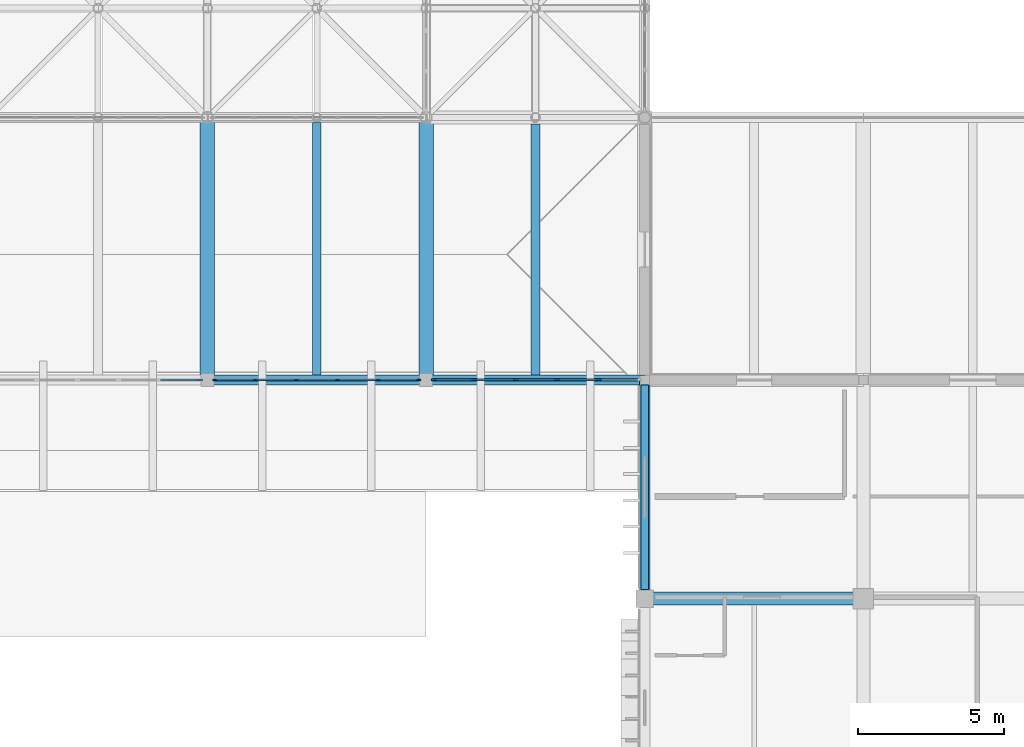
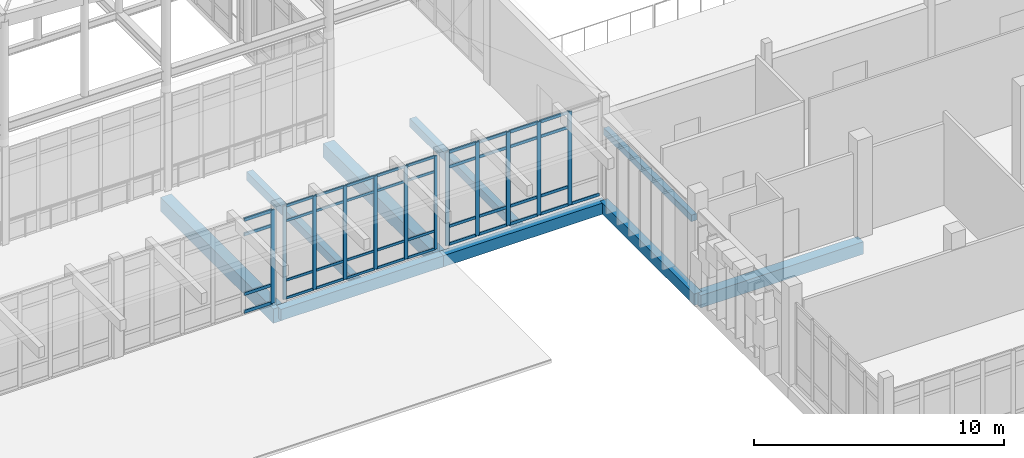
# One storey, part 29 of 131: 53 members, 9 beams, 3 elements without a shape of their own.
"""IFC4 building model written with IfcOpenShell, lengths in metres."""

from ifc_helpers import new_model, si_unit, direction, frame, origin, origin_2d, place, context, subcontext, project, spatial, rectangle, extrude, material, layer, layer_set, material_profile, profile_set, type_object, element, aggregate, save


model = new_model("IFC4")

# Units and contexts
model_context = context("Model", 3, precision=1e-05, world=origin(), true_north=direction((0.0, 1.0)))
body_context = subcontext(model_context, "Body", "Model", "MODEL_VIEW")
ifc_project = project(units=[si_unit("LENGTHUNIT", "METRE"), si_unit("AREAUNIT", "SQUARE_METRE"), si_unit("VOLUMEUNIT", "CUBIC_METRE"), si_unit("PLANEANGLEUNIT", "RADIAN"), si_unit("MASSUNIT", "GRAM", prefix="KILO")], contexts=[model_context])

# Site, building, storey
site_placement = place(None, origin())
site = spatial("IfcSite", under=ifc_project, at=site_placement, CompositionType="ELEMENT")
building_placement = place(site_placement, origin())
building = spatial("IfcBuilding", under=site, at=building_placement, Name="Dalvernix Boulevard General Hospital", CompositionType="ELEMENT")
storey_placement = place(building_placement, frame((0.0, 0.0, 9.300048828125)))
storey = spatial("IfcBuildingStorey", under=building, at=storey_placement, Name="L02", CompositionType="ELEMENT", Elevation=9.300048828125)

# Beams
ifc_material_1 = material(Name="Concrete C35/45", Category="concrete")
ifc_material_profile_1 = material_profile(ifc_material_1, rectangle(XDim=0.5, YDim=0.699951171875, at=origin_2d()), Name="RCB 500x700")
ifc_profile_set_1 = profile_set([ifc_material_profile_1], Name="Concrete C35/45")
beam_type_1 = type_object("IfcBeamType", Name="BM-B-01-I", PredefinedType="BEAM", material=ifc_profile_set_1)
for number, where, z_axis, x_axis, name in (
    (1, (97.5, 22.5, -0.670166015625), (0.0, 1.0, 0.0), (-1.0, 0.0, 0.0), "L02 N-S girder 14:D-E"),
    (2, (105.0, 22.5, -0.670166015625), (0.0, 1.0, 0.0), (-1.0, 0.0, 0.0), "L02 N-S girder 15:D-E"),
):
    element("IfcBeam", number, at=place(storey_placement, frame(where, z_axis=z_axis, x_axis=x_axis)), inside=storey, type_object=beam_type_1, Name=name, PredefinedType="BEAM", context=body_context, shape_type="SweptSolid", body=[
        extrude(rectangle(XDim=0.5, YDim=0.699951171875, at=origin_2d()), origin(), (0.0, 0.0, 1.0), 9.0),
    ])
ifc_material_profile_2 = material_profile(ifc_material_1, rectangle(XDim=0.449951171875, YDim=0.60009765625, at=origin_2d()), Name="RCB 450x600")
ifc_profile_set_2 = profile_set([ifc_material_profile_2], Name="Concrete C35/45")
beam_type_2 = type_object("IfcBeamType", Name="BM-B-04-I", PredefinedType="BEAM", material=ifc_profile_set_2)
beam_1_placement = place(storey_placement, frame((112.5, 15.0, -0.6201171875), z_axis=(1.0, 0.0, 0.0), x_axis=(0.0, 1.0, 0.0)))
element("IfcBeam", 3, at=beam_1_placement, inside=storey, type_object=beam_type_2, Name="L02 E-W girder C:16-17", PredefinedType="BEAM", context=body_context, shape_type="SweptSolid", body=[
    extrude(rectangle(XDim=0.449951171875, YDim=0.60009765625, at=origin_2d()), origin(), (0.0, 0.0, 1.0), 7.5),
])
ifc_material_profile_3 = material_profile(ifc_material_1, rectangle(XDim=0.300048828125, YDim=0.39990234375, at=origin_2d()), Name="RCB 300x400")
ifc_profile_set_3 = profile_set([ifc_material_profile_3], Name="Concrete C35/45")
beam_type_3 = type_object("IfcBeamType", Name="BM-JB-01", PredefinedType="JOIST", material=ifc_profile_set_3)
beam_2_placement = place(storey_placement, frame((101.25, 22.675048828125, -0.52001953125), z_axis=(0.0, 1.0, 0.0), x_axis=(-1.0, 0.0, 0.0)))
element("IfcBeam", 4, at=beam_2_placement, inside=storey, type_object=beam_type_3, Name="L02 secondary floor beam 14-D", PredefinedType="JOIST", context=body_context, shape_type="SweptSolid", body=[
    extrude(rectangle(XDim=0.300048828125, YDim=0.39990234375, at=origin_2d()), origin(), (0.0, 0.0, 1.0), 8.64990234375),
])
beam_3_placement = place(storey_placement, frame((108.75, 22.675048828125, -0.52001953125), z_axis=(0.0, 1.0, 0.0), x_axis=(-1.0, 0.0, 0.0)))
element("IfcBeam", 5, at=beam_3_placement, inside=storey, type_object=beam_type_3, Name="L02 secondary floor beam 15-D", PredefinedType="JOIST", context=body_context, shape_type="SweptSolid", body=[
    extrude(rectangle(XDim=0.300048828125, YDim=0.39990234375, at=origin_2d()), origin(), (0.0, 0.0, 1.0), 8.599853515625),
])
ifc_material_2 = material(Name="Precast concrete C40/50", Category="concrete")
ifc_material_profile_4 = material_profile(ifc_material_2, rectangle(XDim=0.25, YDim=0.320068359375, at=origin_2d()), Name="RCL 250x320")
ifc_profile_set_4 = profile_set([ifc_material_profile_4], Name="Precast concrete C40/50")
beam_type_4 = type_object("IfcBeamType", Name="BM-LB-01", PredefinedType="LINTEL", material=ifc_profile_set_4)
beam_4_placement = place(storey_placement, frame((112.5, 15.31005859375, 3.159912109375), z_axis=(0.0, 1.0, 0.0), x_axis=(-1.0, 0.0, 0.0)))
element("IfcBeam", 6, at=beam_4_placement, inside=storey, type_object=beam_type_4, Name="L02 precast window lintel W 15-2", PredefinedType="LINTEL", context=body_context, shape_type="SweptSolid", body=[
    extrude(rectangle(XDim=0.25, YDim=0.320068359375, at=origin_2d()), origin(), (0.0, 0.0, 1.0), 7.02001953125),
])
ifc_material_profile_5 = material_profile(ifc_material_1, rectangle(XDim=0.35009765625, YDim=0.550048828125, at=origin_2d()), Name="RCB 350x550")
ifc_profile_set_5 = profile_set([ifc_material_profile_5], Name="Concrete C35/45")
beam_type_5 = type_object("IfcBeamType", Name="BM-SB-01-E", PredefinedType="SPANDREL", material=ifc_profile_set_5)
for number, where, z_axis, x_axis, name in (
    (7, (97.5, 22.5, -0.594970703125), (1.0, 0.0, 0.0), (0.0, 1.0, 0.0), "L02 E-W girder D:14-15"),
    (8, (105.0, 22.5, -0.594970703125), (1.0, 0.0, 0.0), (0.0, 1.0, 0.0), "L02 E-W girder D:15-16"),
    (9, (112.5, 15.0, -0.594970703125), (0.0, 1.0, 0.0), (-1.0, 0.0, 0.0), "L02 N-S girder 16:C-D"),
):
    element("IfcBeam", number, at=place(storey_placement, frame(where, z_axis=z_axis, x_axis=x_axis)), inside=storey, type_object=beam_type_5, Name=name, PredefinedType="SPANDREL", context=body_context, shape_type="SweptSolid", body=[
        extrude(rectangle(XDim=0.35009765625, YDim=0.550048828125, at=origin_2d()), origin(), (0.0, 0.0, 1.0), 7.5),
    ])

# Curtain wall, members
ifc_material_3 = material(Name="Thermally broken aluminium and solar-control glass curtain wall", Category="aluminium")
ifc_layer_1 = layer(ifc_material_3, 0.159912109375)
ifc_layer_set_1 = layer_set([ifc_layer_1], Name="Thermally broken aluminium and solar-control glass curtain wall (CW-CW-A-70x46)")
curtain_wall_type_1 = type_object("IfcCurtainWallType", Name="CW-CW-A-70x46", PredefinedType="USERDEFINED", material=ifc_layer_set_1)
curtain_wall_1_placement = place(storey_placement, origin())
curtain_wall_1 = element("IfcCurtainWall", 10, at=curtain_wall_1_placement, inside=storey, type_object=curtain_wall_type_1, Name="L02 curtain wall CW-A-70x46 13-3", ObjectType="GLAZED FACADE", PredefinedType="USERDEFINED")
ifc_material_4 = material(Name="Aluminium EN AW-6060", Category="aluminium")
ifc_material_profile_6 = material_profile(ifc_material_4, rectangle(XDim=0.06005859375, YDim=0.159912109375, at=origin_2d()), Name="ALU MULL 60x160")
ifc_profile_set_6 = profile_set([ifc_material_profile_6], Name="Aluminium EN AW-6060")
member_type_1 = type_object("IfcMemberType", Name="MEM-CW-M1", PredefinedType="MULLION", material=ifc_profile_set_6)
member_1_placement = place(storey_placement, frame((104.735107421875, 22.5, 0.0), z_axis=(0.0, 0.0, 1.0), x_axis=(0.0, -1.0, 0.0)))
member_1 = element("IfcMember", 11, at=member_1_placement, type_object=member_type_1, Name="CW-A-70x46 mullion 1", PredefinedType="MULLION", context=body_context, shape_type="SweptSolid", body=[
    extrude(rectangle(XDim=0.06005859375, YDim=0.159912109375, at=origin_2d()), origin(), (0.0, 0.0, 1.0), 4.550048828125),
])
member_2_placement = place(storey_placement, frame((103.35888671875, 22.5, 0.0), z_axis=(0.0, 0.0, 1.0), x_axis=(0.0, -1.0, 0.0)))
member_2 = element("IfcMember", 12, at=member_2_placement, type_object=member_type_1, Name="CW-A-70x46 mullion 2", PredefinedType="MULLION", context=body_context, shape_type="SweptSolid", body=[
    extrude(rectangle(XDim=0.06005859375, YDim=0.159912109375, at=origin_2d()), origin(), (0.0, 0.0, 1.0), 4.550048828125),
])
member_3_placement = place(storey_placement, frame((101.952880859375, 22.5, 0.0), z_axis=(0.0, 0.0, 1.0), x_axis=(0.0, -1.0, 0.0)))
member_3 = element("IfcMember", 13, at=member_3_placement, type_object=member_type_1, Name="CW-A-70x46 mullion 3", PredefinedType="MULLION", context=body_context, shape_type="SweptSolid", body=[
    extrude(rectangle(XDim=0.06005859375, YDim=0.159912109375, at=origin_2d()), origin(), (0.0, 0.0, 1.0), 4.550048828125),
])
member_4_placement = place(storey_placement, frame((100.547119140625, 22.5, 0.0), z_axis=(0.0, 0.0, 1.0), x_axis=(0.0, -1.0, 0.0)))
member_4 = element("IfcMember", 14, at=member_4_placement, type_object=member_type_1, Name="CW-A-70x46 mullion 4", PredefinedType="MULLION", context=body_context, shape_type="SweptSolid", body=[
    extrude(rectangle(XDim=0.06005859375, YDim=0.159912109375, at=origin_2d()), origin(), (0.0, 0.0, 1.0), 4.550048828125),
])
member_5_placement = place(storey_placement, frame((99.14111328125, 22.5, 0.0), z_axis=(0.0, 0.0, 1.0), x_axis=(0.0, -1.0, 0.0)))
member_5 = element("IfcMember", 15, at=member_5_placement, type_object=member_type_1, Name="CW-A-70x46 mullion 5", PredefinedType="MULLION", context=body_context, shape_type="SweptSolid", body=[
    extrude(rectangle(XDim=0.06005859375, YDim=0.159912109375, at=origin_2d()), origin(), (0.0, 0.0, 1.0), 4.550048828125),
])
member_6_placement = place(storey_placement, frame((97.764892578125, 22.5, 0.0), z_axis=(0.0, 0.0, 1.0), x_axis=(0.0, -1.0, 0.0)))
member_6 = element("IfcMember", 16, at=member_6_placement, type_object=member_type_1, Name="CW-A-70x46 mullion 6", PredefinedType="MULLION", context=body_context, shape_type="SweptSolid", body=[
    extrude(rectangle(XDim=0.06005859375, YDim=0.159912109375, at=origin_2d()), origin(), (0.0, 0.0, 1.0), 4.550048828125),
])

ifc_layer_2 = layer(ifc_material_3, 0.179931640625)
ifc_layer_set_2 = layer_set([ifc_layer_2], Name="Thermally broken aluminium and solar-control glass curtain wall (CW-CW-B-71x46)")
curtain_wall_type_2 = type_object("IfcCurtainWallType", Name="CW-CW-B-71x46", PredefinedType="USERDEFINED", material=ifc_layer_set_2)
curtain_wall_2_placement = place(storey_placement, origin())
curtain_wall_2 = element("IfcCurtainWall", 17, at=curtain_wall_2_placement, inside=storey, type_object=curtain_wall_type_2, Name="L02 curtain wall CW-B-71x46 14-3", ObjectType="GLAZED FACADE", PredefinedType="USERDEFINED")
ifc_material_profile_7 = material_profile(ifc_material_4, rectangle(XDim=0.06494140625, YDim=0.179931640625, at=origin_2d()), Name="ALU MULL 65x180")
ifc_profile_set_7 = profile_set([ifc_material_profile_7], Name="Aluminium EN AW-6060")
member_type_2 = type_object("IfcMemberType", Name="MEM-CW-M2", PredefinedType="MULLION", material=ifc_profile_set_7)
member_7_placement = place(storey_placement, frame((110.910888671875, 22.5, 0.0), z_axis=(0.0, 0.0, 1.0), x_axis=(0.0, -1.0, 0.0)))
member_7 = element("IfcMember", 18, at=member_7_placement, type_object=member_type_2, Name="CW-B-71x46 mullion 2", PredefinedType="MULLION", context=body_context, shape_type="SweptSolid", body=[
    extrude(rectangle(XDim=0.06494140625, YDim=0.179931640625, at=origin_2d()), origin(), (0.0, 0.0, 1.0), 4.550048828125),
])
member_8_placement = place(storey_placement, frame((109.491943359375, 22.5, 0.0), z_axis=(0.0, 0.0, 1.0), x_axis=(0.0, -1.0, 0.0)))
member_8 = element("IfcMember", 19, at=member_8_placement, type_object=member_type_2, Name="CW-B-71x46 mullion 3", PredefinedType="MULLION", context=body_context, shape_type="SweptSolid", body=[
    extrude(rectangle(XDim=0.06494140625, YDim=0.179931640625, at=origin_2d()), origin(), (0.0, 0.0, 1.0), 4.550048828125),
])
member_9_placement = place(storey_placement, frame((108.072998046875, 22.5, 0.0), z_axis=(0.0, 0.0, 1.0), x_axis=(0.0, -1.0, 0.0)))
member_9 = element("IfcMember", 20, at=member_9_placement, type_object=member_type_2, Name="CW-B-71x46 mullion 4", PredefinedType="MULLION", context=body_context, shape_type="SweptSolid", body=[
    extrude(rectangle(XDim=0.06494140625, YDim=0.179931640625, at=origin_2d()), origin(), (0.0, 0.0, 1.0), 4.550048828125),
])
member_10_placement = place(storey_placement, frame((106.654052734375, 22.5, 0.0), z_axis=(0.0, 0.0, 1.0), x_axis=(0.0, -1.0, 0.0)))
member_10 = element("IfcMember", 21, at=member_10_placement, type_object=member_type_2, Name="CW-B-71x46 mullion 5", PredefinedType="MULLION", context=body_context, shape_type="SweptSolid", body=[
    extrude(rectangle(XDim=0.06494140625, YDim=0.179931640625, at=origin_2d()), origin(), (0.0, 0.0, 1.0), 4.550048828125),
])
member_11_placement = place(storey_placement, frame((105.267578125, 22.5, 0.0), z_axis=(0.0, 0.0, 1.0), x_axis=(0.0, -1.0, 0.0)))
member_11 = element("IfcMember", 22, at=member_11_placement, type_object=member_type_2, Name="CW-B-71x46 mullion 6", PredefinedType="MULLION", context=body_context, shape_type="SweptSolid", body=[
    extrude(rectangle(XDim=0.06494140625, YDim=0.179931640625, at=origin_2d()), origin(), (0.0, 0.0, 1.0), 4.550048828125),
])

# Curtain wall, member
ifc_layer_3 = layer(ifc_material_3, 0.199951171875)
ifc_layer_set_3 = layer_set([ifc_layer_3], Name="Thermally broken aluminium and solar-control glass curtain wall (CW-CW-C-70x46)")
curtain_wall_type_3 = type_object("IfcCurtainWallType", Name="CW-CW-C-70x46", PredefinedType="USERDEFINED", material=ifc_layer_set_3)
curtain_wall_3_placement = place(storey_placement, origin())
curtain_wall_3 = element("IfcCurtainWall", 23, at=curtain_wall_3_placement, inside=storey, type_object=curtain_wall_type_3, Name="L02 curtain wall CW-C-70x46 12-3", ObjectType="GLAZED FACADE", PredefinedType="USERDEFINED")
ifc_material_profile_8 = material_profile(ifc_material_4, rectangle(XDim=0.070068359375, YDim=0.199951171875, at=origin_2d()), Name="ALU MULL 70x200")
ifc_profile_set_8 = profile_set([ifc_material_profile_8], Name="Aluminium EN AW-6060")
member_type_3 = type_object("IfcMemberType", Name="MEM-CW-M3", PredefinedType="MULLION", material=ifc_profile_set_8)
member_12_placement = place(storey_placement, frame((97.22998046875, 22.5, 0.0), z_axis=(0.0, 0.0, 1.0), x_axis=(0.0, -1.0, 0.0)))
member_12 = element("IfcMember", 24, at=member_12_placement, type_object=member_type_3, Name="CW-C-70x46 mullion 1", PredefinedType="MULLION", context=body_context, shape_type="SweptSolid", body=[
    extrude(rectangle(XDim=0.070068359375, YDim=0.199951171875, at=origin_2d()), origin(), (0.0, 0.0, 1.0), 4.550048828125),
])

# Member
ifc_material_profile_9 = material_profile(ifc_material_4, rectangle(XDim=0.06005859375, YDim=0.1201171875, at=origin_2d()), Name="ALU TRAN 60x120")
ifc_profile_set_9 = profile_set([ifc_material_profile_9], Name="Aluminium EN AW-6060")
member_type_4 = type_object("IfcMemberType", Name="MEM-CW-T1", PredefinedType="USERDEFINED", material=ifc_profile_set_9)
member_13_placement = place(storey_placement, frame((104.705078125, 22.5, 0.030029296875), z_axis=(-1.0, 0.0, 0.0), x_axis=(0.0, -1.0, 0.0)))
member_13 = element("IfcMember", 25, at=member_13_placement, type_object=member_type_4, Name="CW-A-70x46 transom 1.1", ObjectType="TRANSOM", PredefinedType="USERDEFINED", context=body_context, shape_type="SweptSolid", body=[
    extrude(rectangle(XDim=0.06005859375, YDim=0.1201171875, at=origin_2d()), origin(), (0.0, 0.0, 1.0), 1.316162109375),
])

member_14_placement = place(storey_placement, frame((104.705078125, 22.5, 0.89990234375), z_axis=(-1.0, 0.0, 0.0), x_axis=(0.0, -1.0, 0.0)))
member_14 = element("IfcMember", 26, at=member_14_placement, type_object=member_type_4, Name="CW-A-70x46 transom 1.2", ObjectType="TRANSOM", PredefinedType="USERDEFINED", context=body_context, shape_type="SweptSolid", body=[
    extrude(rectangle(XDim=0.06005859375, YDim=0.1201171875, at=origin_2d()), origin(), (0.0, 0.0, 1.0), 1.316162109375),
])

member_15_placement = place(storey_placement, frame((104.705078125, 22.5, 3.800048828125), z_axis=(-1.0, 0.0, 0.0), x_axis=(0.0, -1.0, 0.0)))
member_15 = element("IfcMember", 27, at=member_15_placement, type_object=member_type_4, Name="CW-A-70x46 transom 1.3", ObjectType="TRANSOM", PredefinedType="USERDEFINED", context=body_context, shape_type="SweptSolid", body=[
    extrude(rectangle(XDim=0.06005859375, YDim=0.1201171875, at=origin_2d()), origin(), (0.0, 0.0, 1.0), 1.316162109375),
])

member_16_placement = place(storey_placement, frame((104.705078125, 22.5, 4.52001953125), z_axis=(-1.0, 0.0, 0.0), x_axis=(0.0, -1.0, 0.0)))
member_16 = element("IfcMember", 28, at=member_16_placement, type_object=member_type_4, Name="CW-A-70x46 transom 1.4", ObjectType="TRANSOM", PredefinedType="USERDEFINED", context=body_context, shape_type="SweptSolid", body=[
    extrude(rectangle(XDim=0.06005859375, YDim=0.1201171875, at=origin_2d()), origin(), (0.0, 0.0, 1.0), 1.316162109375),
])

member_17_placement = place(storey_placement, frame((103.3291015625, 22.5, 0.030029296875), z_axis=(-1.0, 0.0, 0.0), x_axis=(0.0, -1.0, 0.0)))
member_17 = element("IfcMember", 29, at=member_17_placement, type_object=member_type_4, Name="CW-A-70x46 transom 2.1", ObjectType="TRANSOM", PredefinedType="USERDEFINED", context=body_context, shape_type="SweptSolid", body=[
    extrude(rectangle(XDim=0.06005859375, YDim=0.1201171875, at=origin_2d()), origin(), (0.0, 0.0, 1.0), 1.34619140625),
])

member_18_placement = place(storey_placement, frame((103.3291015625, 22.5, 0.89990234375), z_axis=(-1.0, 0.0, 0.0), x_axis=(0.0, -1.0, 0.0)))
member_18 = element("IfcMember", 30, at=member_18_placement, type_object=member_type_4, Name="CW-A-70x46 transom 2.2", ObjectType="TRANSOM", PredefinedType="USERDEFINED", context=body_context, shape_type="SweptSolid", body=[
    extrude(rectangle(XDim=0.06005859375, YDim=0.1201171875, at=origin_2d()), origin(), (0.0, 0.0, 1.0), 1.34619140625),
])

member_19_placement = place(storey_placement, frame((103.3291015625, 22.5, 3.800048828125), z_axis=(-1.0, 0.0, 0.0), x_axis=(0.0, -1.0, 0.0)))
member_19 = element("IfcMember", 31, at=member_19_placement, type_object=member_type_4, Name="CW-A-70x46 transom 2.3", ObjectType="TRANSOM", PredefinedType="USERDEFINED", context=body_context, shape_type="SweptSolid", body=[
    extrude(rectangle(XDim=0.06005859375, YDim=0.1201171875, at=origin_2d()), origin(), (0.0, 0.0, 1.0), 1.34619140625),
])

member_20_placement = place(storey_placement, frame((103.3291015625, 22.5, 4.52001953125), z_axis=(-1.0, 0.0, 0.0), x_axis=(0.0, -1.0, 0.0)))
member_20 = element("IfcMember", 32, at=member_20_placement, type_object=member_type_4, Name="CW-A-70x46 transom 2.4", ObjectType="TRANSOM", PredefinedType="USERDEFINED", context=body_context, shape_type="SweptSolid", body=[
    extrude(rectangle(XDim=0.06005859375, YDim=0.1201171875, at=origin_2d()), origin(), (0.0, 0.0, 1.0), 1.34619140625),
])

member_21_placement = place(storey_placement, frame((101.923095703125, 22.5, 0.030029296875), z_axis=(-1.0, 0.0, 0.0), x_axis=(0.0, -1.0, 0.0)))
member_21 = element("IfcMember", 33, at=member_21_placement, type_object=member_type_4, Name="CW-A-70x46 transom 3.1", ObjectType="TRANSOM", PredefinedType="USERDEFINED", context=body_context, shape_type="SweptSolid", body=[
    extrude(rectangle(XDim=0.06005859375, YDim=0.1201171875, at=origin_2d()), origin(), (0.0, 0.0, 1.0), 1.34619140625),
])

member_22_placement = place(storey_placement, frame((101.923095703125, 22.5, 0.89990234375), z_axis=(-1.0, 0.0, 0.0), x_axis=(0.0, -1.0, 0.0)))
member_22 = element("IfcMember", 34, at=member_22_placement, type_object=member_type_4, Name="CW-A-70x46 transom 3.2", ObjectType="TRANSOM", PredefinedType="USERDEFINED", context=body_context, shape_type="SweptSolid", body=[
    extrude(rectangle(XDim=0.06005859375, YDim=0.1201171875, at=origin_2d()), origin(), (0.0, 0.0, 1.0), 1.34619140625),
])

member_23_placement = place(storey_placement, frame((101.923095703125, 22.5, 3.800048828125), z_axis=(-1.0, 0.0, 0.0), x_axis=(0.0, -1.0, 0.0)))
member_23 = element("IfcMember", 35, at=member_23_placement, type_object=member_type_4, Name="CW-A-70x46 transom 3.3", ObjectType="TRANSOM", PredefinedType="USERDEFINED", context=body_context, shape_type="SweptSolid", body=[
    extrude(rectangle(XDim=0.06005859375, YDim=0.1201171875, at=origin_2d()), origin(), (0.0, 0.0, 1.0), 1.34619140625),
])

member_24_placement = place(storey_placement, frame((101.923095703125, 22.5, 4.52001953125), z_axis=(-1.0, 0.0, 0.0), x_axis=(0.0, -1.0, 0.0)))
member_24 = element("IfcMember", 36, at=member_24_placement, type_object=member_type_4, Name="CW-A-70x46 transom 3.4", ObjectType="TRANSOM", PredefinedType="USERDEFINED", context=body_context, shape_type="SweptSolid", body=[
    extrude(rectangle(XDim=0.06005859375, YDim=0.1201171875, at=origin_2d()), origin(), (0.0, 0.0, 1.0), 1.34619140625),
])

member_25_placement = place(storey_placement, frame((100.51708984375, 22.5, 0.030029296875), z_axis=(-1.0, 0.0, 0.0), x_axis=(0.0, -1.0, 0.0)))
member_25 = element("IfcMember", 37, at=member_25_placement, type_object=member_type_4, Name="CW-A-70x46 transom 4.1", ObjectType="TRANSOM", PredefinedType="USERDEFINED", context=body_context, shape_type="SweptSolid", body=[
    extrude(rectangle(XDim=0.06005859375, YDim=0.1201171875, at=origin_2d()), origin(), (0.0, 0.0, 1.0), 1.34619140625),
])

member_26_placement = place(storey_placement, frame((100.51708984375, 22.5, 0.89990234375), z_axis=(-1.0, 0.0, 0.0), x_axis=(0.0, -1.0, 0.0)))
member_26 = element("IfcMember", 38, at=member_26_placement, type_object=member_type_4, Name="CW-A-70x46 transom 4.2", ObjectType="TRANSOM", PredefinedType="USERDEFINED", context=body_context, shape_type="SweptSolid", body=[
    extrude(rectangle(XDim=0.06005859375, YDim=0.1201171875, at=origin_2d()), origin(), (0.0, 0.0, 1.0), 1.34619140625),
])

member_27_placement = place(storey_placement, frame((100.51708984375, 22.5, 3.800048828125), z_axis=(-1.0, 0.0, 0.0), x_axis=(0.0, -1.0, 0.0)))
member_27 = element("IfcMember", 39, at=member_27_placement, type_object=member_type_4, Name="CW-A-70x46 transom 4.3", ObjectType="TRANSOM", PredefinedType="USERDEFINED", context=body_context, shape_type="SweptSolid", body=[
    extrude(rectangle(XDim=0.06005859375, YDim=0.1201171875, at=origin_2d()), origin(), (0.0, 0.0, 1.0), 1.34619140625),
])

member_28_placement = place(storey_placement, frame((100.51708984375, 22.5, 4.52001953125), z_axis=(-1.0, 0.0, 0.0), x_axis=(0.0, -1.0, 0.0)))
member_28 = element("IfcMember", 40, at=member_28_placement, type_object=member_type_4, Name="CW-A-70x46 transom 4.4", ObjectType="TRANSOM", PredefinedType="USERDEFINED", context=body_context, shape_type="SweptSolid", body=[
    extrude(rectangle(XDim=0.06005859375, YDim=0.1201171875, at=origin_2d()), origin(), (0.0, 0.0, 1.0), 1.34619140625),
])

member_29_placement = place(storey_placement, frame((99.111083984375, 22.5, 0.030029296875), z_axis=(-1.0, 0.0, 0.0), x_axis=(0.0, -1.0, 0.0)))
member_29 = element("IfcMember", 41, at=member_29_placement, type_object=member_type_4, Name="CW-A-70x46 transom 5.1", ObjectType="TRANSOM", PredefinedType="USERDEFINED", context=body_context, shape_type="SweptSolid", body=[
    extrude(rectangle(XDim=0.06005859375, YDim=0.1201171875, at=origin_2d()), origin(), (0.0, 0.0, 1.0), 1.316162109375),
])

member_30_placement = place(storey_placement, frame((99.111083984375, 22.5, 0.89990234375), z_axis=(-1.0, 0.0, 0.0), x_axis=(0.0, -1.0, 0.0)))
member_30 = element("IfcMember", 42, at=member_30_placement, type_object=member_type_4, Name="CW-A-70x46 transom 5.2", ObjectType="TRANSOM", PredefinedType="USERDEFINED", context=body_context, shape_type="SweptSolid", body=[
    extrude(rectangle(XDim=0.06005859375, YDim=0.1201171875, at=origin_2d()), origin(), (0.0, 0.0, 1.0), 1.316162109375),
])

member_31_placement = place(storey_placement, frame((99.111083984375, 22.5, 3.800048828125), z_axis=(-1.0, 0.0, 0.0), x_axis=(0.0, -1.0, 0.0)))
member_31 = element("IfcMember", 43, at=member_31_placement, type_object=member_type_4, Name="CW-A-70x46 transom 5.3", ObjectType="TRANSOM", PredefinedType="USERDEFINED", context=body_context, shape_type="SweptSolid", body=[
    extrude(rectangle(XDim=0.06005859375, YDim=0.1201171875, at=origin_2d()), origin(), (0.0, 0.0, 1.0), 1.316162109375),
])

member_32_placement = place(storey_placement, frame((99.111083984375, 22.5, 4.52001953125), z_axis=(-1.0, 0.0, 0.0), x_axis=(0.0, -1.0, 0.0)))
member_32 = element("IfcMember", 44, at=member_32_placement, type_object=member_type_4, Name="CW-A-70x46 transom 5.4", ObjectType="TRANSOM", PredefinedType="USERDEFINED", context=body_context, shape_type="SweptSolid", body=[
    extrude(rectangle(XDim=0.06005859375, YDim=0.1201171875, at=origin_2d()), origin(), (0.0, 0.0, 1.0), 1.316162109375),
])

aggregate(curtain_wall_1, [member_1, member_2, member_3, member_4, member_5, member_6, member_13, member_14, member_15, member_16, member_17, member_18, member_19, member_20, member_21, member_22, member_23, member_24, member_25, member_26, member_27, member_28, member_29, member_30, member_31, member_32])

ifc_material_profile_10 = material_profile(ifc_material_4, rectangle(XDim=0.06494140625, YDim=0.139892578125, at=origin_2d()), Name="ALU TRAN 65x140")
ifc_profile_set_10 = profile_set([ifc_material_profile_10], Name="Aluminium EN AW-6060")
member_type_5 = type_object("IfcMemberType", Name="MEM-CW-T2", PredefinedType="USERDEFINED", material=ifc_profile_set_10)
member_33_placement = place(storey_placement, frame((112.264892578125, 22.5, 0.032470703125), z_axis=(-1.0, 0.0, 0.0), x_axis=(0.0, -1.0, 0.0)))
member_33 = element("IfcMember", 45, at=member_33_placement, type_object=member_type_5, Name="CW-B-71x46 transom 1.1", ObjectType="TRANSOM", PredefinedType="USERDEFINED", context=body_context, shape_type="SweptSolid", body=[
    extrude(rectangle(XDim=0.06494140625, YDim=0.139892578125, at=origin_2d()), origin(), (0.0, 0.0, 1.0), 1.3212890625),
])

member_34_placement = place(storey_placement, frame((110.87841796875, 22.5, 0.032470703125), z_axis=(-1.0, 0.0, 0.0), x_axis=(0.0, -1.0, 0.0)))
member_34 = element("IfcMember", 46, at=member_34_placement, type_object=member_type_5, Name="CW-B-71x46 transom 2.1", ObjectType="TRANSOM", PredefinedType="USERDEFINED", context=body_context, shape_type="SweptSolid", body=[
    extrude(rectangle(XDim=0.06494140625, YDim=0.139892578125, at=origin_2d()), origin(), (0.0, 0.0, 1.0), 1.35400390625),
])

member_35_placement = place(storey_placement, frame((110.87841796875, 22.5, 0.89990234375), z_axis=(-1.0, 0.0, 0.0), x_axis=(0.0, -1.0, 0.0)))
member_35 = element("IfcMember", 47, at=member_35_placement, type_object=member_type_5, Name="CW-B-71x46 transom 2.2", ObjectType="TRANSOM", PredefinedType="USERDEFINED", context=body_context, shape_type="SweptSolid", body=[
    extrude(rectangle(XDim=0.06494140625, YDim=0.139892578125, at=origin_2d()), origin(), (0.0, 0.0, 1.0), 1.35400390625),
])

member_36_placement = place(storey_placement, frame((110.87841796875, 22.5, 3.800048828125), z_axis=(-1.0, 0.0, 0.0), x_axis=(0.0, -1.0, 0.0)))
member_36 = element("IfcMember", 48, at=member_36_placement, type_object=member_type_5, Name="CW-B-71x46 transom 2.3", ObjectType="TRANSOM", PredefinedType="USERDEFINED", context=body_context, shape_type="SweptSolid", body=[
    extrude(rectangle(XDim=0.06494140625, YDim=0.139892578125, at=origin_2d()), origin(), (0.0, 0.0, 1.0), 1.35400390625),
])

member_37_placement = place(storey_placement, frame((110.87841796875, 22.5, 4.517333984375), z_axis=(-1.0, 0.0, 0.0), x_axis=(0.0, -1.0, 0.0)))
member_37 = element("IfcMember", 49, at=member_37_placement, type_object=member_type_5, Name="CW-B-71x46 transom 2.4", ObjectType="TRANSOM", PredefinedType="USERDEFINED", context=body_context, shape_type="SweptSolid", body=[
    extrude(rectangle(XDim=0.06494140625, YDim=0.139892578125, at=origin_2d()), origin(), (0.0, 0.0, 1.0), 1.35400390625),
])

member_38_placement = place(storey_placement, frame((109.45947265625, 22.5, 0.032470703125), z_axis=(-1.0, 0.0, 0.0), x_axis=(0.0, -1.0, 0.0)))
member_38 = element("IfcMember", 50, at=member_38_placement, type_object=member_type_5, Name="CW-B-71x46 transom 3.1", ObjectType="TRANSOM", PredefinedType="USERDEFINED", context=body_context, shape_type="SweptSolid", body=[
    extrude(rectangle(XDim=0.06494140625, YDim=0.139892578125, at=origin_2d()), origin(), (0.0, 0.0, 1.0), 1.35400390625),
])

member_39_placement = place(storey_placement, frame((109.45947265625, 22.5, 0.89990234375), z_axis=(-1.0, 0.0, 0.0), x_axis=(0.0, -1.0, 0.0)))
member_39 = element("IfcMember", 51, at=member_39_placement, type_object=member_type_5, Name="CW-B-71x46 transom 3.2", ObjectType="TRANSOM", PredefinedType="USERDEFINED", context=body_context, shape_type="SweptSolid", body=[
    extrude(rectangle(XDim=0.06494140625, YDim=0.139892578125, at=origin_2d()), origin(), (0.0, 0.0, 1.0), 1.35400390625),
])

member_40_placement = place(storey_placement, frame((109.45947265625, 22.5, 3.800048828125), z_axis=(-1.0, 0.0, 0.0), x_axis=(0.0, -1.0, 0.0)))
member_40 = element("IfcMember", 52, at=member_40_placement, type_object=member_type_5, Name="CW-B-71x46 transom 3.3", ObjectType="TRANSOM", PredefinedType="USERDEFINED", context=body_context, shape_type="SweptSolid", body=[
    extrude(rectangle(XDim=0.06494140625, YDim=0.139892578125, at=origin_2d()), origin(), (0.0, 0.0, 1.0), 1.35400390625),
])

member_41_placement = place(storey_placement, frame((109.45947265625, 22.5, 4.517333984375), z_axis=(-1.0, 0.0, 0.0), x_axis=(0.0, -1.0, 0.0)))
member_41 = element("IfcMember", 53, at=member_41_placement, type_object=member_type_5, Name="CW-B-71x46 transom 3.4", ObjectType="TRANSOM", PredefinedType="USERDEFINED", context=body_context, shape_type="SweptSolid", body=[
    extrude(rectangle(XDim=0.06494140625, YDim=0.139892578125, at=origin_2d()), origin(), (0.0, 0.0, 1.0), 1.35400390625),
])

member_42_placement = place(storey_placement, frame((108.04052734375, 22.5, 0.032470703125), z_axis=(-1.0, 0.0, 0.0), x_axis=(0.0, -1.0, 0.0)))
member_42 = element("IfcMember", 54, at=member_42_placement, type_object=member_type_5, Name="CW-B-71x46 transom 4.1", ObjectType="TRANSOM", PredefinedType="USERDEFINED", context=body_context, shape_type="SweptSolid", body=[
    extrude(rectangle(XDim=0.06494140625, YDim=0.139892578125, at=origin_2d()), origin(), (0.0, 0.0, 1.0), 1.35400390625),
])

member_43_placement = place(storey_placement, frame((108.04052734375, 22.5, 0.89990234375), z_axis=(-1.0, 0.0, 0.0), x_axis=(0.0, -1.0, 0.0)))
member_43 = element("IfcMember", 55, at=member_43_placement, type_object=member_type_5, Name="CW-B-71x46 transom 4.2", ObjectType="TRANSOM", PredefinedType="USERDEFINED", context=body_context, shape_type="SweptSolid", body=[
    extrude(rectangle(XDim=0.06494140625, YDim=0.139892578125, at=origin_2d()), origin(), (0.0, 0.0, 1.0), 1.35400390625),
])

member_44_placement = place(storey_placement, frame((108.04052734375, 22.5, 3.800048828125), z_axis=(-1.0, 0.0, 0.0), x_axis=(0.0, -1.0, 0.0)))
member_44 = element("IfcMember", 56, at=member_44_placement, type_object=member_type_5, Name="CW-B-71x46 transom 4.3", ObjectType="TRANSOM", PredefinedType="USERDEFINED", context=body_context, shape_type="SweptSolid", body=[
    extrude(rectangle(XDim=0.06494140625, YDim=0.139892578125, at=origin_2d()), origin(), (0.0, 0.0, 1.0), 1.35400390625),
])

member_45_placement = place(storey_placement, frame((108.04052734375, 22.5, 4.517333984375), z_axis=(-1.0, 0.0, 0.0), x_axis=(0.0, -1.0, 0.0)))
member_45 = element("IfcMember", 57, at=member_45_placement, type_object=member_type_5, Name="CW-B-71x46 transom 4.4", ObjectType="TRANSOM", PredefinedType="USERDEFINED", context=body_context, shape_type="SweptSolid", body=[
    extrude(rectangle(XDim=0.06494140625, YDim=0.139892578125, at=origin_2d()), origin(), (0.0, 0.0, 1.0), 1.35400390625),
])

member_46_placement = place(storey_placement, frame((106.62158203125, 22.5, 0.032470703125), z_axis=(-1.0, 0.0, 0.0), x_axis=(0.0, -1.0, 0.0)))
member_46 = element("IfcMember", 58, at=member_46_placement, type_object=member_type_5, Name="CW-B-71x46 transom 5.1", ObjectType="TRANSOM", PredefinedType="USERDEFINED", context=body_context, shape_type="SweptSolid", body=[
    extrude(rectangle(XDim=0.06494140625, YDim=0.139892578125, at=origin_2d()), origin(), (0.0, 0.0, 1.0), 1.321533203125),
])

member_47_placement = place(storey_placement, frame((106.62158203125, 22.5, 0.89990234375), z_axis=(-1.0, 0.0, 0.0), x_axis=(0.0, -1.0, 0.0)))
member_47 = element("IfcMember", 59, at=member_47_placement, type_object=member_type_5, Name="CW-B-71x46 transom 5.2", ObjectType="TRANSOM", PredefinedType="USERDEFINED", context=body_context, shape_type="SweptSolid", body=[
    extrude(rectangle(XDim=0.06494140625, YDim=0.139892578125, at=origin_2d()), origin(), (0.0, 0.0, 1.0), 1.321533203125),
])

member_48_placement = place(storey_placement, frame((106.62158203125, 22.5, 3.800048828125), z_axis=(-1.0, 0.0, 0.0), x_axis=(0.0, -1.0, 0.0)))
member_48 = element("IfcMember", 60, at=member_48_placement, type_object=member_type_5, Name="CW-B-71x46 transom 5.3", ObjectType="TRANSOM", PredefinedType="USERDEFINED", context=body_context, shape_type="SweptSolid", body=[
    extrude(rectangle(XDim=0.06494140625, YDim=0.139892578125, at=origin_2d()), origin(), (0.0, 0.0, 1.0), 1.321533203125),
])

member_49_placement = place(storey_placement, frame((106.62158203125, 22.5, 4.517333984375), z_axis=(-1.0, 0.0, 0.0), x_axis=(0.0, -1.0, 0.0)))
member_49 = element("IfcMember", 61, at=member_49_placement, type_object=member_type_5, Name="CW-B-71x46 transom 5.4", ObjectType="TRANSOM", PredefinedType="USERDEFINED", context=body_context, shape_type="SweptSolid", body=[
    extrude(rectangle(XDim=0.06494140625, YDim=0.139892578125, at=origin_2d()), origin(), (0.0, 0.0, 1.0), 1.321533203125),
])

aggregate(curtain_wall_2, [member_7, member_8, member_9, member_10, member_11, member_33, member_34, member_35, member_36, member_37, member_38, member_39, member_40, member_41, member_42, member_43, member_44, member_45, member_46, member_47, member_48, member_49])

ifc_material_profile_11 = material_profile(ifc_material_4, rectangle(XDim=0.070068359375, YDim=0.14990234375, at=origin_2d()), Name="ALU TRAN 70x150")
ifc_profile_set_11 = profile_set([ifc_material_profile_11], Name="Aluminium EN AW-6060")
member_type_6 = type_object("IfcMemberType", Name="MEM-CW-T3", PredefinedType="USERDEFINED", material=ifc_profile_set_11)
member_50_placement = place(storey_placement, frame((97.195068359375, 22.5, 0.034912109375), z_axis=(-1.0, 0.0, 0.0), x_axis=(0.0, -1.0, 0.0)))
member_50 = element("IfcMember", 62, at=member_50_placement, type_object=member_type_6, Name="CW-C-70x46 transom 1.1", ObjectType="TRANSOM", PredefinedType="USERDEFINED", context=body_context, shape_type="SweptSolid", body=[
    extrude(rectangle(XDim=0.070068359375, YDim=0.14990234375, at=origin_2d()), origin(), (0.0, 0.0, 1.0), 1.301025390625),
])

member_51_placement = place(storey_placement, frame((97.195068359375, 22.5, 0.89990234375), z_axis=(-1.0, 0.0, 0.0), x_axis=(0.0, -1.0, 0.0)))
member_51 = element("IfcMember", 63, at=member_51_placement, type_object=member_type_6, Name="CW-C-70x46 transom 1.2", ObjectType="TRANSOM", PredefinedType="USERDEFINED", context=body_context, shape_type="SweptSolid", body=[
    extrude(rectangle(XDim=0.070068359375, YDim=0.14990234375, at=origin_2d()), origin(), (0.0, 0.0, 1.0), 1.301025390625),
])

member_52_placement = place(storey_placement, frame((97.195068359375, 22.5, 3.800048828125), z_axis=(-1.0, 0.0, 0.0), x_axis=(0.0, -1.0, 0.0)))
member_52 = element("IfcMember", 64, at=member_52_placement, type_object=member_type_6, Name="CW-C-70x46 transom 1.3", ObjectType="TRANSOM", PredefinedType="USERDEFINED", context=body_context, shape_type="SweptSolid", body=[
    extrude(rectangle(XDim=0.070068359375, YDim=0.14990234375, at=origin_2d()), origin(), (0.0, 0.0, 1.0), 1.301025390625),
])

member_53_placement = place(storey_placement, frame((97.195068359375, 22.5, 4.514892578125), z_axis=(-1.0, 0.0, 0.0), x_axis=(0.0, -1.0, 0.0)))
member_53 = element("IfcMember", 65, at=member_53_placement, type_object=member_type_6, Name="CW-C-70x46 transom 1.4", ObjectType="TRANSOM", PredefinedType="USERDEFINED", context=body_context, shape_type="SweptSolid", body=[
    extrude(rectangle(XDim=0.070068359375, YDim=0.14990234375, at=origin_2d()), origin(), (0.0, 0.0, 1.0), 1.301025390625),
])

aggregate(curtain_wall_3, [member_12, member_50, member_51, member_52, member_53])

save(model, "model.ifc")
